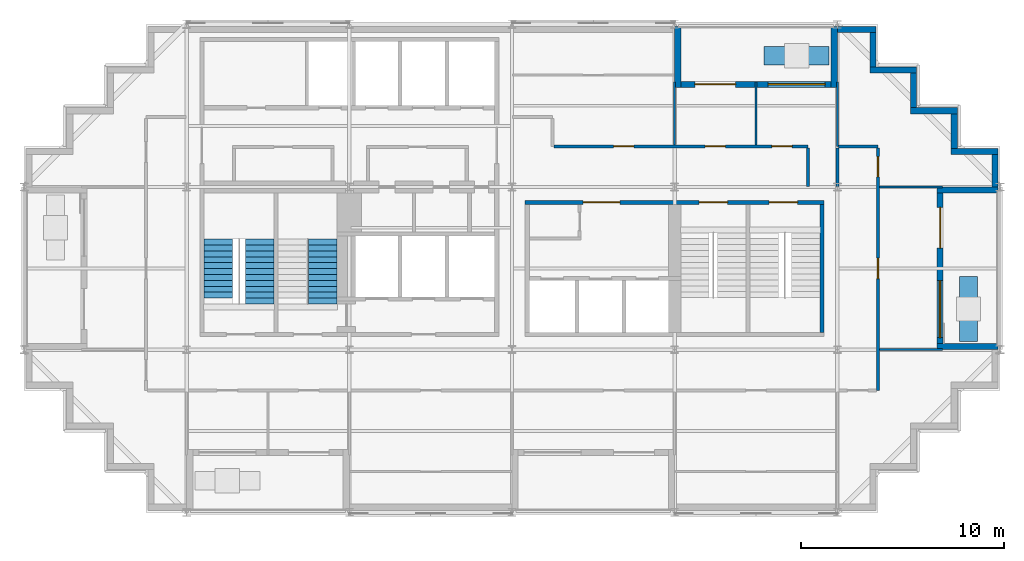
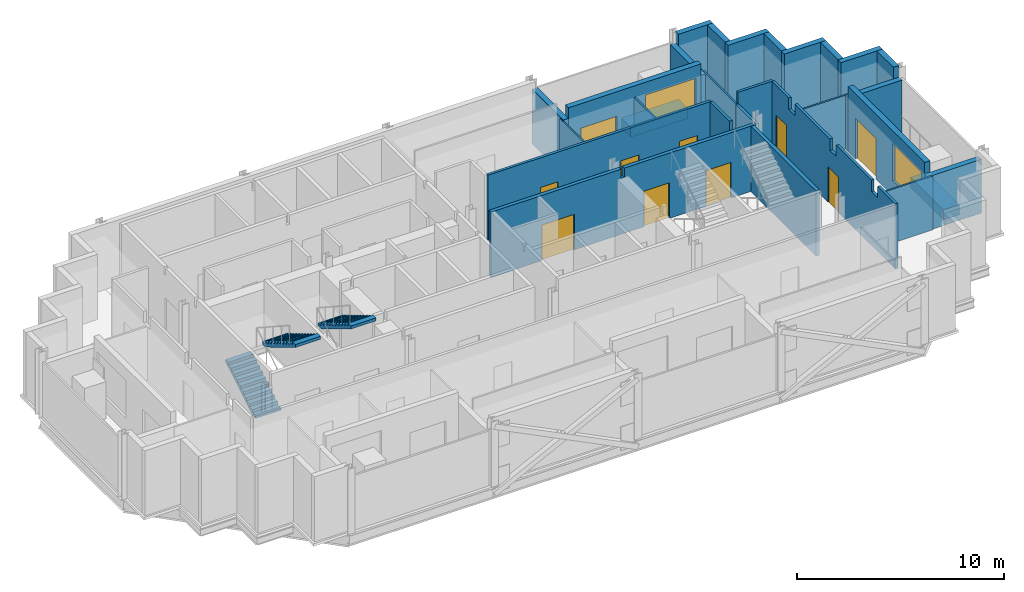
# One storey, part 7 of 10: 28 walls, 10 doors, 3 stair flights, 2 windows, 12 openings, 2 elements without a shape of their own.
"""IFC4 building model written with IfcOpenShell, lengths in metres."""

from ifc_helpers import new_model, si_unit, direction, frame, frame_2d, origin, place, context, subcontext, project, spatial, polyline, rectangle, outline, extrude, material, layer, layer_set, type_object, element, fill, aggregate, save


model = new_model("IFC4")

# Units and contexts
model_context = context("Model", 3, precision=1e-05, world=origin(), true_north=direction((0.0, 1.0)))
body_context = subcontext(model_context, "Body", "Model", "MODEL_VIEW")
ifc_project = project(units=[si_unit("LENGTHUNIT", "METRE"), si_unit("AREAUNIT", "SQUARE_METRE"), si_unit("VOLUMEUNIT", "CUBIC_METRE"), si_unit("PLANEANGLEUNIT", "RADIAN"), si_unit("MASSUNIT", "GRAM", prefix="KILO")], contexts=[model_context])

# Site, building, storey
site_placement = place(None, origin())
site = spatial("IfcSite", under=ifc_project, at=site_placement, CompositionType="ELEMENT")
building_placement = place(site_placement, origin())
building = spatial("IfcBuilding", under=site, at=building_placement, Name="Immortelle Media Tower", CompositionType="ELEMENT")
storey_placement = place(building_placement, frame((0.0, 0.0, 259.0)))
storey = spatial("IfcBuildingStorey", under=building, at=storey_placement, Name="L56", CompositionType="ELEMENT", Elevation=259.0)

# Wall, openings, doors
ifc_material_1 = material(Name="Fire-rated gypsum board", Category="gypsum")
ifc_layer_1 = layer(ifc_material_1, 0.012451171875)
ifc_material_2 = material(Name="Steel ASTM A653 SS Gr 50 stud frame with mineral wool", Category="steel")
ifc_layer_2 = layer(ifc_material_2, 0.125)
ifc_layer_3 = layer(ifc_material_1, 0.012451171875)
ifc_layer_set_1 = layer_set([ifc_layer_1, ifc_layer_2, ifc_layer_3], Name="Steel ASTM A653 SS Gr 50 stud frame with mineral wool")
wall_type_1 = type_object("IfcWallType", Name="Corridor wall 150", PredefinedType="PARTITIONING", material=ifc_layer_set_1)
wall_1_placement = place(storey_placement, frame((42.0, 6.0, 0.0), z_axis=(0.0, 0.0, 1.0), x_axis=(0.0, 1.0, 0.0)))
wall_1 = element("IfcWall", 1, at=wall_1_placement, inside=storey, type_object=wall_type_1, Name="Partition L56-012", PredefinedType="PARTITIONING", context=body_context, shape_type="SweptSolid", body=[
    extrude(outline(polyline([(0.0, 0.0), (11.925048828125, 0.0), (11.925048828125, 3.85009765625), (10.300048828125, 3.85009765625), (10.298095703125, 3.172119140625), (9.701904296875, 3.172119140625), (9.699951171875, 3.85009765625), (6.300048828125, 3.85009765625), (6.298095703125, 3.172119140625), (5.701904296875, 3.172119140625), (5.699951171875, 3.85009765625), (2.300048828125, 3.85009765625), (2.298095703125, 3.172119140625), (1.701904296875, 3.172119140625), (1.699951171875, 3.85009765625), (0.0, 3.85009765625), (0.0, 0.0)])), frame((0.0, 0.074951171875, 0.0), z_axis=(0.0, -1.0, 0.0), x_axis=(1.0, 0.0, 0.0)), (0.0, 0.0, 1.0), 0.14990234375),
])
opening_1_placement = place(wall_1_placement, frame((6.5, 0.0, 0.0), z_axis=(0.0, 0.0, 1.0), x_axis=(-1.0, 0.0, 0.0)))
opening_1 = element("IfcOpeningElement", 2, at=opening_1_placement, cuts=wall_1, Name="Opening X2-F011", PredefinedType="OPENING", context=body_context, shape_type="SweptSolid", body=[
    extrude(rectangle(XDim=1.0, YDim=2.10009765625, at=frame_2d((0.5, 1.050048828125))), frame((0.0, 0.0849609375, 0.0), z_axis=(0.0, -1.0, 0.0), x_axis=(1.0, 0.0, 0.0)), (0.0, 0.0, 1.0), 0.169921875),
])
opening_2_placement = place(wall_1_placement, frame((11.5, 0.0, 0.0), z_axis=(0.0, 0.0, 1.0), x_axis=(-1.0, 0.0, 0.0)))
opening_2 = element("IfcOpeningElement", 3, at=opening_2_placement, cuts=wall_1, Name="Opening X2-F013", PredefinedType="OPENING", context=body_context, shape_type="SweptSolid", body=[
    extrude(rectangle(XDim=1.0, YDim=2.10009765625, at=frame_2d((0.5, 1.050048828125))), frame((0.0, 0.0849609375, 0.0), z_axis=(0.0, -1.0, 0.0), x_axis=(1.0, 0.0, 0.0)), (0.0, 0.0, 1.0), 0.169921875),
])
ifc_material_3 = material(Name="Timber veneered door leaf, galvanised steel frame ASTM A653", Category="steel")
door_type_1 = type_object("IfcDoorType", Name="Room door 1000 x 2100", OperationType="NOTDEFINED", PredefinedType="DOOR", material=ifc_material_3)
door_1_placement = place(opening_1_placement, origin())
door_1 = element("IfcDoor", 4, at=door_1_placement, inside=storey, type_object=door_type_1, Name="Door X2-F011", OperationType="SINGLE_SWING_LEFT", OverallHeight=2.10009765625, OverallWidth=1.0, PredefinedType="DOOR", context=body_context, shape_type="SweptSolid", body=[
    extrude(rectangle(XDim=1.0, YDim=2.10009765625, at=frame_2d((0.5, 1.050048828125))), frame((0.0, 0.02490234375, 0.0), z_axis=(0.0, -1.0, 0.0), x_axis=(1.0, 0.0, 0.0)), (0.0, 0.0, 1.0), 0.050048828125),
])
fill(opening_1, door_1)
door_2_placement = place(opening_2_placement, origin())
door_2 = element("IfcDoor", 5, at=door_2_placement, inside=storey, type_object=door_type_1, Name="Door X2-F013", OperationType="SINGLE_SWING_RIGHT", OverallHeight=2.10009765625, OverallWidth=1.0, PredefinedType="DOOR", context=body_context, shape_type="SweptSolid", body=[
    extrude(rectangle(XDim=1.0, YDim=2.10009765625, at=frame_2d((0.5, 1.050048828125))), frame((0.0, 0.02490234375, 0.0), z_axis=(0.0, -1.0, 0.0), x_axis=(1.0, 0.0, 0.0)), (0.0, 0.0, 1.0), 0.050048828125),
])
fill(opening_2, door_2)

# Walls
wall_2_placement = place(storey_placement, frame((38.550048828125, 16.030029296875, 0.0), z_axis=(0.0, 0.0, 1.0), x_axis=(0.0, 1.0, 0.0)))
element("IfcWall", 6, at=wall_2_placement, inside=storey, type_object=wall_type_1, Name="Partition L56-017", PredefinedType="PARTITIONING", context=body_context, shape_type="SweptSolid", body=[
    extrude(rectangle(XDim=1.89501953125, YDim=0.14990234375, at=frame_2d((0.947509765625, 0.0))), origin(), (0.0, 0.0, 1.0), 3.85009765625),
])
wall_3_placement = place(storey_placement, frame((40.0, 16.030029296875, 0.0), z_axis=(0.0, 0.0, 1.0), x_axis=(0.0, 1.0, 0.0)))
element("IfcWall", 7, at=wall_3_placement, inside=storey, type_object=wall_type_1, Name="Partition L56-018", PredefinedType="PARTITIONING", context=body_context, shape_type="SweptSolid", body=[
    extrude(rectangle(XDim=1.89501953125, YDim=0.14990234375, at=frame_2d((0.947509765625, 0.0))), origin(), (0.0, 0.0, 1.0), 3.172119140625),
])

# Wall, openings, doors
wall_4_placement = place(storey_placement, frame((26.074951171875, 18.0, 0.0), z_axis=(0.0, 0.0, 1.0), x_axis=(1.0, 0.0, 0.0)))
wall_4 = element("IfcWall", 8, at=wall_4_placement, inside=storey, type_object=wall_type_1, Name="Partition L56-019", PredefinedType="PARTITIONING", context=body_context, shape_type="SweptSolid", body=[
    extrude(rectangle(XDim=12.47509765625, YDim=0.14990234375, at=frame_2d((6.237548828125, 0.0))), origin(), (0.0, 0.0, 1.0), 3.85009765625),
])
opening_3_placement = place(wall_4_placement, frame((7.425048828125, 0.0, 0.0)))
opening_3 = element("IfcOpeningElement", 9, at=opening_3_placement, cuts=wall_4, Name="Opening X2-F014", PredefinedType="OPENING", context=body_context, shape_type="SweptSolid", body=[
    extrude(rectangle(XDim=1.0, YDim=2.10009765625, at=frame_2d((0.5, 1.050048828125))), frame((0.0, 0.0849609375, 0.0), z_axis=(0.0, -1.0, 0.0), x_axis=(1.0, 0.0, 0.0)), (0.0, 0.0, 1.0), 0.169921875),
])
opening_4_placement = place(wall_4_placement, frame((10.699951171875, 0.0, 0.0)))
opening_4 = element("IfcOpeningElement", 10, at=opening_4_placement, cuts=wall_4, Name="Opening X2-F015", PredefinedType="OPENING", context=body_context, shape_type="SweptSolid", body=[
    extrude(rectangle(XDim=1.0, YDim=2.10009765625, at=frame_2d((0.5, 1.050048828125))), frame((0.0, 0.0849609375, 0.0), z_axis=(0.0, -1.0, 0.0), x_axis=(1.0, 0.0, 0.0)), (0.0, 0.0, 1.0), 0.169921875),
])
opening_5_placement = place(wall_4_placement, frame((3.925048828125, 0.0, 0.0), z_axis=(0.0, 0.0, 1.0), x_axis=(-1.0, 0.0, 0.0)))
opening_5 = element("IfcOpeningElement", 11, at=opening_5_placement, cuts=wall_4, Name="Opening X2-F016", PredefinedType="OPENING", context=body_context, shape_type="SweptSolid", body=[
    extrude(rectangle(XDim=1.0, YDim=2.10009765625, at=frame_2d((0.5, 1.050048828125))), frame((0.0, 0.0849609375, 0.0), z_axis=(0.0, -1.0, 0.0), x_axis=(1.0, 0.0, 0.0)), (0.0, 0.0, 1.0), 0.169921875),
])
door_3_placement = place(opening_3_placement, origin())
door_3 = element("IfcDoor", 12, at=door_3_placement, inside=storey, type_object=door_type_1, Name="Door X2-F014", OperationType="SINGLE_SWING_LEFT", OverallHeight=2.10009765625, OverallWidth=1.0, PredefinedType="DOOR", context=body_context, shape_type="SweptSolid", body=[
    extrude(rectangle(XDim=1.0, YDim=2.10009765625, at=frame_2d((0.5, 1.050048828125))), frame((0.0, 0.02490234375, 0.0), z_axis=(0.0, -1.0, 0.0), x_axis=(1.0, 0.0, 0.0)), (0.0, 0.0, 1.0), 0.050048828125),
])
fill(opening_3, door_3)
door_4_placement = place(opening_4_placement, origin())
door_4 = element("IfcDoor", 13, at=door_4_placement, inside=storey, type_object=door_type_1, Name="Door X2-F015", OperationType="SINGLE_SWING_LEFT", OverallHeight=2.10009765625, OverallWidth=1.0, PredefinedType="DOOR", context=body_context, shape_type="SweptSolid", body=[
    extrude(rectangle(XDim=1.0, YDim=2.10009765625, at=frame_2d((0.5, 1.050048828125))), frame((0.0, 0.02490234375, 0.0), z_axis=(0.0, -1.0, 0.0), x_axis=(1.0, 0.0, 0.0)), (0.0, 0.0, 1.0), 0.050048828125),
])
fill(opening_4, door_4)
door_5_placement = place(opening_5_placement, origin())
door_5 = element("IfcDoor", 14, at=door_5_placement, inside=storey, type_object=door_type_1, Name="Door X2-F016", OperationType="SINGLE_SWING_RIGHT", OverallHeight=2.10009765625, OverallWidth=1.0, PredefinedType="DOOR", context=body_context, shape_type="SweptSolid", body=[
    extrude(rectangle(XDim=1.0, YDim=2.10009765625, at=frame_2d((0.5, 1.050048828125))), frame((0.0, 0.02490234375, 0.0), z_axis=(0.0, -1.0, 0.0), x_axis=(1.0, 0.0, 0.0)), (0.0, 0.0, 1.0), 0.050048828125),
])
fill(opening_5, door_5)

# Wall
wall_5_placement = place(storey_placement, frame((40.050048828125, 18.0, 0.0), z_axis=(0.0, 0.0, 1.0), x_axis=(1.0, 0.0, 0.0)))
element("IfcWall", 15, at=wall_5_placement, inside=storey, type_object=wall_type_1, Name="Partition L56-023", PredefinedType="PARTITIONING", context=body_context, shape_type="SweptSolid", body=[
    extrude(rectangle(XDim=1.949951171875, YDim=0.14990234375, at=frame_2d((0.97509765625, 0.0))), origin(), (0.0, 0.0, 1.0), 3.85009765625),
])

# Wall, openings, door, window
ifc_material_4 = material(Name="Pale aluminium cladding panel", Category="aluminium")
ifc_layer_4 = layer(ifc_material_4, 0.030029296875)
ifc_layer_5 = layer(ifc_material_2, 0.257568359375)
ifc_material_5 = material(Name="Moisture-resistant gypsum board", Category="gypsum")
ifc_layer_6 = layer(ifc_material_5, 0.012451171875)
ifc_layer_set_2 = layer_set([ifc_layer_4, ifc_layer_5, ifc_layer_6], Name="Steel ASTM A653 SS Gr 50 stud frame with mineral wool")
wall_type_2 = type_object("IfcWallType", Name="Facade wall 300", PredefinedType="SOLIDWALL", material=ifc_layer_set_2)
wall_6_placement = place(storey_placement, frame((45.050048828125, 8.300048828125, 0.0), z_axis=(0.0, 0.0, 1.0), x_axis=(0.0, 1.0, 0.0)))
wall_6 = element("IfcWall", 16, at=wall_6_placement, inside=storey, type_object=wall_type_2, Name="Loggia wall L56 E13", PredefinedType="SOLIDWALL", context=body_context, shape_type="SweptSolid", body=[
    extrude(rectangle(XDim=7.39990234375, YDim=0.300048828125, at=frame_2d((3.699951171875, 0.0))), origin(), (0.0, 0.0, 1.0), 3.85009765625),
])
opening_6_placement = place(wall_6_placement, frame((0.300048828125, 0.0, 0.89990234375)))
opening_6 = element("IfcOpeningElement", 17, at=opening_6_placement, cuts=wall_6, Name="Opening W1", PredefinedType="OPENING", context=body_context, shape_type="SweptSolid", body=[
    extrude(rectangle(XDim=2.800048828125, YDim=2.199951171875, at=frame_2d((1.39990234375, 1.10009765625))), frame((0.0, 0.159912109375, 0.0), z_axis=(0.0, -1.0, 0.0), x_axis=(1.0, 0.0, 0.0)), (0.0, 0.0, 1.0), 0.320068359375),
])
opening_7_placement = place(wall_6_placement, frame((4.699951171875, 0.0, 0.0)))
opening_7 = element("IfcOpeningElement", 18, at=opening_7_placement, cuts=wall_6, Name="Opening X2-E003", PredefinedType="OPENING", context=body_context, shape_type="SweptSolid", body=[
    extrude(rectangle(XDim=2.0, YDim=2.39990234375, at=frame_2d((1.0, 1.199951171875))), frame((0.0, 0.159912109375, 0.0), z_axis=(0.0, -1.0, 0.0), x_axis=(1.0, 0.0, 0.0)), (0.0, 0.0, 1.0), 0.320068359375),
])
ifc_material_6 = material(Name="Aluminium frame, glazed leaves", Category="aluminium")
door_type_2 = type_object("IfcDoorType", Name="Loggia door 2000 x 2400", OperationType="DOUBLE_DOOR_SINGLE_SWING", PredefinedType="DOOR", material=ifc_material_6)
door_6_placement = place(opening_7_placement, origin())
door_6 = element("IfcDoor", 19, at=door_6_placement, inside=storey, type_object=door_type_2, Name="Door X2-E003", OperationType="DOUBLE_DOOR_SINGLE_SWING", OverallHeight=2.39990234375, OverallWidth=2.0, PredefinedType="DOOR", context=body_context, shape_type="SweptSolid", body=[
    extrude(rectangle(XDim=2.0, YDim=2.39990234375, at=frame_2d((1.0, 1.199951171875))), frame((0.0, 0.02490234375, 0.0), z_axis=(0.0, -1.0, 0.0), x_axis=(1.0, 0.0, 0.0)), (0.0, 0.0, 1.0), 0.050048828125),
])
fill(opening_7, door_6)
ifc_material_7 = material(Name="Aluminium frame", Category="aluminium")
window_type = type_object("IfcWindowType", Name="Window 2800 x 2200", PartitioningType="SINGLE_PANEL", PredefinedType="WINDOW", material=ifc_material_7)
window_1_placement = place(opening_6_placement, origin())
window_1 = element("IfcWindow", 20, at=window_1_placement, inside=storey, type_object=window_type, Name="Window L56 L56-R13-B0", OverallHeight=2.199951171875, OverallWidth=2.800048828125, PartitioningType="SINGLE_PANEL", PredefinedType="WINDOW", context=body_context, shape_type="SweptSolid", body=[
    extrude(rectangle(XDim=2.800048828125, YDim=2.199951171875, at=frame_2d((1.39990234375, 1.10009765625))), frame((0.0, 0.030029296875, 0.0), z_axis=(0.0, -1.0, 0.0), x_axis=(1.0, 0.0, 0.0)), (0.0, 0.0, 1.0), 0.06005859375),
])
fill(opening_6, window_1)

# Walls
for number, where, z_axis, x_axis, name in (
    (21, (47.89990234375, 8.14990234375, 0.0), (0.0, 0.0, 1.0), (-1.0, 0.0, 0.0), "Loggia cheek wall L56 E"),
    (22, (47.89990234375, 15.85009765625, 0.0), (0.0, 0.0, 1.0), (-1.0, 0.0, 0.0), "Loggia cheek wall L56 E"),
):
    element("IfcWall", number, at=place(storey_placement, frame(where, z_axis=z_axis, x_axis=x_axis)), inside=storey, type_object=wall_type_2, Name=name, PredefinedType="SOLIDWALL", context=body_context, shape_type="SweptSolid", body=[
        extrude(rectangle(XDim=3.0, YDim=0.300048828125, at=frame_2d((1.5, 0.0))), origin(), (0.0, 0.0, 1.0), 3.1708984375),
    ])
wall_7_placement = place(storey_placement, frame((47.75, 16.0, 0.0), z_axis=(0.0, 0.0, 1.0), x_axis=(0.0, 1.0, 0.0)))
element("IfcWall", 23, at=wall_7_placement, inside=storey, type_object=wall_type_2, Name="Facade wall L56 E13", PredefinedType="SOLIDWALL", context=body_context, shape_type="SweptSolid", body=[
    extrude(rectangle(XDim=1.60009765625, YDim=0.300048828125, at=frame_2d((0.800048828125, 0.0))), origin(), (0.0, 0.0, 1.0), 3.85009765625),
])
wall_8_placement = place(storey_placement, frame((47.89990234375, 17.75, 0.0), z_axis=(0.0, 0.0, 1.0), x_axis=(-1.0, 0.0, 0.0)))
element("IfcWall", 24, at=wall_8_placement, inside=storey, type_object=wall_type_2, Name="Facade wall L56 N14", PredefinedType="SOLIDWALL", context=body_context, shape_type="SweptSolid", body=[
    extrude(rectangle(XDim=2.2998046875, YDim=0.300048828125, at=frame_2d((1.14990234375, 0.0))), origin(), (0.0, 0.0, 1.0), 3.85009765625),
])
wall_9_placement = place(storey_placement, frame((45.75, 17.89990234375, 0.0), z_axis=(0.0, 0.0, 1.0), x_axis=(0.0, 1.0, 0.0)))
element("IfcWall", 25, at=wall_9_placement, inside=storey, type_object=wall_type_2, Name="Facade wall L56 E15", PredefinedType="SOLIDWALL", context=body_context, shape_type="SweptSolid", body=[
    extrude(rectangle(XDim=1.7001953125, YDim=0.300048828125, at=frame_2d((0.85009765625, 0.0))), origin(), (0.0, 0.0, 1.0), 3.85009765625),
])
wall_10_placement = place(storey_placement, frame((45.89990234375, 19.75, 0.0), z_axis=(0.0, 0.0, 1.0), x_axis=(-1.0, 0.0, 0.0)))
element("IfcWall", 26, at=wall_10_placement, inside=storey, type_object=wall_type_2, Name="Facade wall L56 N16", PredefinedType="SOLIDWALL", context=body_context, shape_type="SweptSolid", body=[
    extrude(rectangle(XDim=2.2998046875, YDim=0.300048828125, at=frame_2d((1.14990234375, 0.0))), origin(), (0.0, 0.0, 1.0), 3.85009765625),
])
wall_11_placement = place(storey_placement, frame((43.75, 19.89990234375, 0.0), z_axis=(0.0, 0.0, 1.0), x_axis=(0.0, 1.0, 0.0)))
element("IfcWall", 27, at=wall_11_placement, inside=storey, type_object=wall_type_2, Name="Facade wall L56 E17", PredefinedType="SOLIDWALL", context=body_context, shape_type="SweptSolid", body=[
    extrude(rectangle(XDim=1.7001953125, YDim=0.300048828125, at=frame_2d((0.85009765625, 0.0))), origin(), (0.0, 0.0, 1.0), 3.85009765625),
])
wall_12_placement = place(storey_placement, frame((43.89990234375, 21.75, 0.0), z_axis=(0.0, 0.0, 1.0), x_axis=(-1.0, 0.0, 0.0)))
element("IfcWall", 28, at=wall_12_placement, inside=storey, type_object=wall_type_2, Name="Facade wall L56 N18", PredefinedType="SOLIDWALL", context=body_context, shape_type="SweptSolid", body=[
    extrude(rectangle(XDim=2.2998046875, YDim=0.300048828125, at=frame_2d((1.14990234375, 0.0))), origin(), (0.0, 0.0, 1.0), 3.85009765625),
])
wall_13_placement = place(storey_placement, frame((41.75, 21.89990234375, 0.0), z_axis=(0.0, 0.0, 1.0), x_axis=(0.0, 1.0, 0.0)))
element("IfcWall", 29, at=wall_13_placement, inside=storey, type_object=wall_type_2, Name="Facade wall L56 E19", PredefinedType="SOLIDWALL", context=body_context, shape_type="SweptSolid", body=[
    extrude(rectangle(XDim=1.7001953125, YDim=0.300048828125, at=frame_2d((0.85009765625, 0.0))), origin(), (0.0, 0.0, 1.0), 3.85009765625),
])
wall_14_placement = place(storey_placement, frame((41.89990234375, 23.75, 0.0), z_axis=(0.0, 0.0, 1.0), x_axis=(-1.0, 0.0, 0.0)))
element("IfcWall", 30, at=wall_14_placement, inside=storey, type_object=wall_type_2, Name="Facade wall L56 N20", PredefinedType="SOLIDWALL", context=body_context, shape_type="SweptSolid", body=[
    extrude(rectangle(XDim=1.89990234375, YDim=0.300048828125, at=frame_2d((0.949951171875, 0.0))), origin(), (0.0, 0.0, 1.0), 3.85009765625),
])

# Wall, openings, door, window
wall_15_placement = place(storey_placement, frame((39.699951171875, 21.050048828125, 0.0), z_axis=(0.0, 0.0, 1.0), x_axis=(-1.0, 0.0, 0.0)))
wall_15 = element("IfcWall", 31, at=wall_15_placement, inside=storey, type_object=wall_type_2, Name="Loggia wall L56 N20", PredefinedType="SOLIDWALL", context=body_context, shape_type="SweptSolid", body=[
    extrude(rectangle(XDim=7.39990234375, YDim=0.300048828125, at=frame_2d((3.699951171875, 0.0))), origin(), (0.0, 0.0, 1.0), 3.85009765625),
])
opening_8_placement = place(wall_15_placement, frame((0.300048828125, 0.0, 0.89990234375)))
opening_8 = element("IfcOpeningElement", 32, at=opening_8_placement, cuts=wall_15, Name="Opening W1", PredefinedType="OPENING", context=body_context, shape_type="SweptSolid", body=[
    extrude(rectangle(XDim=2.800048828125, YDim=2.199951171875, at=frame_2d((1.39990234375, 1.10009765625))), frame((0.0, 0.159912109375, 0.0), z_axis=(0.0, -1.0, 0.0), x_axis=(1.0, 0.0, 0.0)), (0.0, 0.0, 1.0), 0.320068359375),
])
opening_9_placement = place(wall_15_placement, frame((4.699951171875, 0.0, 0.0)))
opening_9 = element("IfcOpeningElement", 33, at=opening_9_placement, cuts=wall_15, Name="Opening X2-E004", PredefinedType="OPENING", context=body_context, shape_type="SweptSolid", body=[
    extrude(rectangle(XDim=2.0, YDim=2.39990234375, at=frame_2d((1.0, 1.199951171875))), frame((0.0, 0.159912109375, 0.0), z_axis=(0.0, -1.0, 0.0), x_axis=(1.0, 0.0, 0.0)), (0.0, 0.0, 1.0), 0.320068359375),
])
door_7_placement = place(opening_9_placement, origin())
door_7 = element("IfcDoor", 34, at=door_7_placement, inside=storey, type_object=door_type_2, Name="Door X2-E004", OperationType="DOUBLE_DOOR_SINGLE_SWING", OverallHeight=2.39990234375, OverallWidth=2.0, PredefinedType="DOOR", context=body_context, shape_type="SweptSolid", body=[
    extrude(rectangle(XDim=2.0, YDim=2.39990234375, at=frame_2d((1.0, 1.199951171875))), frame((0.0, 0.02490234375, 0.0), z_axis=(0.0, -1.0, 0.0), x_axis=(1.0, 0.0, 0.0)), (0.0, 0.0, 1.0), 0.050048828125),
])
fill(opening_9, door_7)
window_2_placement = place(opening_8_placement, origin())
window_2 = element("IfcWindow", 35, at=window_2_placement, inside=storey, type_object=window_type, Name="Window L56 L56-R20-B0", OverallHeight=2.199951171875, OverallWidth=2.800048828125, PartitioningType="SINGLE_PANEL", PredefinedType="WINDOW", context=body_context, shape_type="SweptSolid", body=[
    extrude(rectangle(XDim=2.800048828125, YDim=2.199951171875, at=frame_2d((1.39990234375, 1.10009765625))), frame((0.0, 0.030029296875, 0.0), z_axis=(0.0, -1.0, 0.0), x_axis=(1.0, 0.0, 0.0)), (0.0, 0.0, 1.0), 0.06005859375),
])
fill(opening_8, window_2)

# Walls
wall_16_placement = place(storey_placement, frame((39.85009765625, 23.89990234375, 0.0), z_axis=(0.0, 0.0, 1.0), x_axis=(0.0, -1.0, 0.0)))
element("IfcWall", 36, at=wall_16_placement, inside=storey, type_object=wall_type_2, Name="Loggia cheek wall L56 N", PredefinedType="SOLIDWALL", context=body_context, shape_type="SweptSolid", body=[
    extrude(rectangle(XDim=3.0, YDim=0.300048828125, at=frame_2d((1.5, 0.0))), origin(), (0.0, 0.0, 1.0), 3.1708984375),
])
wall_17_placement = place(storey_placement, frame((32.14990234375, 23.89990234375, 0.0), z_axis=(0.0, 0.0, 1.0), x_axis=(0.0, -1.0, 0.0)))
element("IfcWall", 37, at=wall_17_placement, inside=storey, type_object=wall_type_2, Name="Loggia cheek wall L56 N", PredefinedType="SOLIDWALL", context=body_context, shape_type="SweptSolid", body=[
    extrude(rectangle(XDim=3.0, YDim=0.300048828125, at=frame_2d((1.5, 0.0))), origin(), (0.0, 0.0, 1.0), 3.237060546875),
])
ifc_material_8 = material(Name="Gypsum board", Category="gypsum")
ifc_layer_7 = layer(ifc_material_8, 0.012451171875)
ifc_layer_8 = layer(ifc_material_2, 0.074951171875)
ifc_layer_9 = layer(ifc_material_8, 0.012451171875)
ifc_layer_set_3 = layer_set([ifc_layer_7, ifc_layer_8, ifc_layer_9], Name="Steel ASTM A653 SS Gr 50 stud frame with mineral wool")
wall_type_3 = type_object("IfcWallType", Name="Partition 100", PredefinedType="PARTITIONING", material=ifc_layer_set_3)
for number, where, z_axis, x_axis, name in (
    (38, (42.074951171875, 8.0, 0.0), (0.0, 0.0, 1.0), (1.0, 0.0, 0.0), "Partition L56-014"),
    (39, (42.074951171875, 16.0, 0.0), (0.0, 0.0, 1.0), (1.0, 0.0, 0.0), "Partition L56-016"),
    (40, (32.0, 18.074951171875, 0.0), (0.0, 0.0, 1.0), (0.0, 1.0, 0.0), "Partition L56-021"),
    (41, (36.0, 18.074951171875, 0.0), (0.0, 0.0, 1.0), (0.0, 1.0, 0.0), "Partition L56-022"),
):
    element("IfcWall", number, at=place(storey_placement, frame(where, z_axis=z_axis, x_axis=x_axis)), inside=storey, type_object=wall_type_3, Name=name, PredefinedType="PARTITIONING", context=body_context, shape_type="SweptSolid", body=[
        extrude(rectangle(XDim=3.094970703125, YDim=0.10009765625, at=frame_2d((1.54736328125, 0.0))), origin(), (0.0, 0.0, 1.0), 3.172119140625),
    ])
wall_18_placement = place(storey_placement, frame((40.0, 18.0, 0.0), z_axis=(0.0, 0.0, 1.0), x_axis=(0.0, 1.0, 0.0)))
element("IfcWall", 42, at=wall_18_placement, inside=storey, type_object=wall_type_3, Name="Partition L56-024", PredefinedType="PARTITIONING", context=body_context, shape_type="SweptSolid", body=[
    extrude(rectangle(XDim=3.169921875, YDim=0.10009765625, at=frame_2d((1.5849609375, 0.0))), origin(), (0.0, 0.0, 1.0), 3.172119140625),
])
ifc_layer_10 = layer(ifc_material_4, 0.0029296875)
ifc_material_9 = material(Name="Steel ASTM A572 Gr 50 planter shell", Category="steel")
ifc_layer_11 = layer(ifc_material_9, 0.011962890625)
ifc_material_10 = material(Name="Planting substrate", Category="soil")
ifc_layer_12 = layer(ifc_material_10, 0.873046875)
ifc_layer_13 = layer(ifc_material_9, 0.011962890625)
ifc_layer_set_4 = layer_set([ifc_layer_10, ifc_layer_11, ifc_layer_12, ifc_layer_13], Name="Steel ASTM A572 Gr 50 planter shell")
wall_type_4 = type_object("IfcWallType", Name="Planter wall 900", PredefinedType="SOLIDWALL", material=ifc_layer_set_4)
for number, where, z_axis, x_axis, name in (
    (43, (46.449951171875, 8.39990234375, 0.0), (0.0, 0.0, 1.0), (0.0, 1.0, 0.0), "Planter L56 E0"),
    (44, (39.60009765625, 22.449951171875, 0.0), (0.0, 0.0, 1.0), (-1.0, 0.0, 0.0), "Planter L56 N0"),
):
    element("IfcWall", number, at=place(storey_placement, frame(where, z_axis=z_axis, x_axis=x_axis)), inside=storey, type_object=wall_type_4, Name=name, PredefinedType="SOLIDWALL", context=body_context, shape_type="SweptSolid", body=[
        extrude(rectangle(XDim=3.2001953125, YDim=0.89990234375, at=frame_2d((1.60009765625, 0.0))), origin(), (0.0, 0.0, 1.0), 0.60009765625),
    ])

# Wall, openings, doors
ifc_material_11 = material(Name="Concrete C60", Category="concrete")
ifc_layer_14 = layer(ifc_material_11, 0.199951171875)
ifc_layer_set_5 = layer_set([ifc_layer_14], Name="Concrete C60")
wall_type_5 = type_object("IfcWallType", Name="Stair shaft wall 200", PredefinedType="PARTITIONING", material=ifc_layer_set_5)
wall_19_placement = place(storey_placement, frame((24.64990234375, 15.25, 0.0), z_axis=(0.0, 0.0, 1.0), x_axis=(1.0, 0.0, 0.0)))
wall_19 = element("IfcWall", 45, at=wall_19_placement, inside=storey, type_object=wall_type_5, Name="Stair shaft wall SE", PredefinedType="PARTITIONING", context=body_context, shape_type="SweptSolid", body=[
    extrude(outline(polyline([(0.0, 0.0), (14.7001953125, 0.0), (14.699951171875, 3.85009765625), (7.4384765625, 3.85009765625), (7.4375, 3.30810546875), (7.262451171875, 3.30810546875), (7.261474609375, 3.85009765625), (0.0, 3.85009765625), (0.0, 0.0)])), frame((0.0, 0.10009765625, 0.0), z_axis=(0.0, -1.0, 0.0), x_axis=(1.0, 0.0, 0.0)), (0.0, 0.0, 1.0), 0.199951171875),
])
opening_10_placement = place(wall_19_placement, frame((2.85009765625, 0.0, 0.0)))
opening_10 = element("IfcOpeningElement", 46, at=opening_10_placement, cuts=wall_19, Name="Opening X2-K023", PredefinedType="OPENING", context=body_context, shape_type="SweptSolid", body=[
    extrude(rectangle(XDim=1.800048828125, YDim=2.10009765625, at=frame_2d((0.89990234375, 1.050048828125))), frame((0.0, 0.10986328125, 0.0), z_axis=(0.0, -1.0, 0.0), x_axis=(1.0, 0.0, 0.0)), (0.0, 0.0, 1.0), 0.219970703125),
])
opening_11_placement = place(wall_19_placement, frame((9.949951171875, 0.0, 0.0), z_axis=(0.0, 0.0, 1.0), x_axis=(-1.0, 0.0, 0.0)))
opening_11 = element("IfcOpeningElement", 47, at=opening_11_placement, cuts=wall_19, Name="Opening X2-K025", PredefinedType="OPENING", context=body_context, shape_type="SweptSolid", body=[
    extrude(rectangle(XDim=1.39990234375, YDim=2.10009765625, at=frame_2d((0.699951171875, 1.050048828125))), frame((0.0, 0.10986328125, 0.0), z_axis=(0.0, -1.0, 0.0), x_axis=(1.0, 0.0, 0.0)), (0.0, 0.0, 1.0), 0.219970703125),
])
opening_12_placement = place(wall_19_placement, frame((13.39990234375, 0.0, 0.0), z_axis=(0.0, 0.0, 1.0), x_axis=(-1.0, 0.0, 0.0)))
opening_12 = element("IfcOpeningElement", 48, at=opening_12_placement, cuts=wall_19, Name="Opening X2-K026", PredefinedType="OPENING", context=body_context, shape_type="SweptSolid", body=[
    extrude(rectangle(XDim=1.39990234375, YDim=2.10009765625, at=frame_2d((0.699951171875, 1.050048828125))), frame((0.0, 0.10986328125, 0.0), z_axis=(0.0, -1.0, 0.0), x_axis=(1.0, 0.0, 0.0)), (0.0, 0.0, 1.0), 0.219970703125),
])
ifc_material_12 = material(Name="Galvanised steel door leaf and frame ASTM A653", Category="steel")
door_type_3 = type_object("IfcDoorType", Name="Lift lobby door 1800 x 2100", OperationType="DOUBLE_DOOR_SINGLE_SWING", PredefinedType="NOTDEFINED", material=ifc_material_12)
door_8_placement = place(opening_10_placement, origin())
door_8 = element("IfcDoor", 49, at=door_8_placement, inside=storey, type_object=door_type_3, Name="Lift lobby X2-K023", OperationType="DOUBLE_DOOR_SINGLE_SWING", OverallHeight=2.10009765625, OverallWidth=1.800048828125, PredefinedType="NOTDEFINED", context=body_context, shape_type="SweptSolid", body=[
    extrude(rectangle(XDim=1.800048828125, YDim=2.10009765625, at=frame_2d((0.89990234375, 1.050048828125))), frame((0.0, 0.02490234375, 0.0), z_axis=(0.0, -1.0, 0.0), x_axis=(1.0, 0.0, 0.0)), (0.0, 0.0, 1.0), 0.050048828125),
])
fill(opening_10, door_8)
door_type_4 = type_object("IfcDoorType", Name="Stair door 1400 x 2100", OperationType="DOUBLE_DOOR_SINGLE_SWING", PredefinedType="NOTDEFINED", material=ifc_material_12)
door_9_placement = place(opening_11_placement, origin())
door_9 = element("IfcDoor", 50, at=door_9_placement, inside=storey, type_object=door_type_4, Name="Stair X2-K025", OperationType="DOUBLE_DOOR_SINGLE_SWING", OverallHeight=2.10009765625, OverallWidth=1.39990234375, PredefinedType="NOTDEFINED", context=body_context, shape_type="SweptSolid", body=[
    extrude(rectangle(XDim=1.39990234375, YDim=2.10009765625, at=frame_2d((0.699951171875, 1.050048828125))), frame((0.0, 0.02490234375, 0.0), z_axis=(0.0, -1.0, 0.0), x_axis=(1.0, 0.0, 0.0)), (0.0, 0.0, 1.0), 0.050048828125),
])
fill(opening_11, door_9)
door_10_placement = place(opening_12_placement, origin())
door_10 = element("IfcDoor", 51, at=door_10_placement, inside=storey, type_object=door_type_4, Name="Stair X2-K026", OperationType="DOUBLE_DOOR_SINGLE_SWING", OverallHeight=2.10009765625, OverallWidth=1.39990234375, PredefinedType="NOTDEFINED", context=body_context, shape_type="SweptSolid", body=[
    extrude(rectangle(XDim=1.39990234375, YDim=2.10009765625, at=frame_2d((0.699951171875, 1.050048828125))), frame((0.0, 0.02490234375, 0.0), z_axis=(0.0, -1.0, 0.0), x_axis=(1.0, 0.0, 0.0)), (0.0, 0.0, 1.0), 0.050048828125),
])
fill(opening_12, door_10)

# Wall
wall_20_placement = place(storey_placement, frame((39.25, 8.85009765625, 0.0), z_axis=(0.0, 0.0, 1.0), x_axis=(0.0, 1.0, 0.0)))
element("IfcWall", 52, at=wall_20_placement, inside=storey, type_object=wall_type_5, Name="Stair shaft wall SE", PredefinedType="PARTITIONING", context=body_context, shape_type="SweptSolid", body=[
    extrude(rectangle(XDim=6.2998046875, YDim=0.199951171875, at=frame_2d((3.14990234375, 0.0))), origin(), (0.0, 0.0, 1.0), 3.85009765625),
])

# Stair, stair flights
ifc_material_13 = material(Name="Steel ASTM A992 Gr 50", Category="steel")
stair_type = type_object("IfcStairType", Name="Stair with flights", PredefinedType="DOUBLE_RETURN_STAIR", material=ifc_material_13)
stair_1_placement = place(storey_placement, origin())
stair_1 = element("IfcStair", 53, at=stair_1_placement, inside=storey, type_object=stair_type, Name="Exit stair SW1", PredefinedType="DOUBLE_RETURN_STAIR")
stair_flight_type = type_object("IfcStairFlightType", Name="Stair flight 1400", PredefinedType="STRAIGHT", material=ifc_material_13)
stair_flight_1_placement = place(storey_placement, frame((9.550048828125, 10.5400390625, 0.0), z_axis=(0.0, 0.0, 1.0), x_axis=(0.0, 1.0, 0.0)))
stair_flight_1 = element("IfcStairFlight", 54, at=stair_flight_1_placement, type_object=stair_flight_type, Name="ST SW1 flight 1", NumberOfRisers=11, NumberOfTreads=10, PredefinedType="STRAIGHT", RiserHeight=0.173913043, TreadLength=0.29, context=body_context, shape_type="SweptSolid", body=[
    extrude(outline(polyline([(0.0, 0.0), (0.0, 0.173828125), (0.2900390625, 0.173828125), (0.2900390625, 0.347900390625), (0.580078125, 0.347900390625), (0.580078125, 0.521728515625), (0.8701171875, 0.521728515625), (0.8701171875, 0.695556640625), (1.159912109375, 0.695556640625), (1.159912109375, 0.86962890625), (1.449951171875, 0.86962890625), (1.449951171875, 1.04345703125), (1.739990234375, 1.04345703125), (1.739990234375, 1.21728515625), (2.030029296875, 1.21728515625), (2.030029296875, 1.391357421875), (2.320068359375, 1.391357421875), (2.320068359375, 1.565185546875), (2.610107421875, 1.565185546875), (2.610107421875, 1.739013671875), (2.89990234375, 1.739013671875), (2.89990234375, 1.9130859375), (2.89990234375, 1.564453125), (0.29150390625, 0.0), (0.0, 0.0)])), frame((0.0, 0.699951171875, 0.0), z_axis=(0.0, -1.0, 0.0), x_axis=(1.0, 0.0, 0.0)), (0.0, 0.0, 1.0), 1.39990234375),
])
stair_flight_2_placement = place(storey_placement, frame((11.60009765625, 13.43994140625, 1.9130859375), z_axis=(0.0, 0.0, 1.0), x_axis=(0.0, -1.0, 0.0)))
stair_flight_2 = element("IfcStairFlight", 55, at=stair_flight_2_placement, type_object=stair_flight_type, Name="ST SW1 flight 2", NumberOfRisers=12, NumberOfTreads=11, PredefinedType="STRAIGHT", RiserHeight=0.173913043, TreadLength=0.29, context=body_context, shape_type="SweptSolid", body=[
    extrude(outline(polyline([(0.0, 0.0), (0.0, 0.173828125), (0.2900390625, 0.173828125), (0.2900390625, 0.347900390625), (0.580078125, 0.347900390625), (0.580078125, 0.521728515625), (0.8701171875, 0.521728515625), (0.8701171875, 0.695556640625), (1.159912109375, 0.695556640625), (1.159912109375, 0.86962890625), (1.449951171875, 0.86962890625), (1.449951171875, 1.04345703125), (1.739990234375, 1.04345703125), (1.739990234375, 1.21728515625), (2.030029296875, 1.21728515625), (2.030029296875, 1.391357421875), (2.320068359375, 1.391357421875), (2.320068359375, 1.565185546875), (2.610107421875, 1.565185546875), (2.610107421875, 1.739013671875), (2.89990234375, 1.739013671875), (2.89990234375, 1.9130859375), (3.18994140625, 1.9130859375), (3.18994140625, 2.0869140625), (3.18994140625, 1.73828125), (0.29150390625, 0.0), (0.0, 0.0)])), frame((0.0, 0.699951171875, 0.0), z_axis=(0.0, -1.0, 0.0), x_axis=(1.0, 0.0, 0.0)), (0.0, 0.0, 1.0), 1.39990234375),
])
aggregate(stair_1, [stair_flight_1, stair_flight_2])

# Stair, stair flight
stair_2_placement = place(storey_placement, origin())
stair_2 = element("IfcStair", 56, at=stair_2_placement, inside=storey, type_object=stair_type, Name="Exit stair SW2", PredefinedType="DOUBLE_RETURN_STAIR")
stair_flight_3_placement = place(storey_placement, frame((14.699951171875, 13.43994140625, 1.9130859375), z_axis=(0.0, 0.0, 1.0), x_axis=(0.0, -1.0, 0.0)))
stair_flight_3 = element("IfcStairFlight", 57, at=stair_flight_3_placement, type_object=stair_flight_type, Name="ST SW2 flight 2", NumberOfRisers=12, NumberOfTreads=11, PredefinedType="STRAIGHT", RiserHeight=0.173913043, TreadLength=0.29, context=body_context, shape_type="SweptSolid", body=[
    extrude(outline(polyline([(0.0, 0.0), (0.0, 0.173828125), (0.2900390625, 0.173828125), (0.2900390625, 0.347900390625), (0.580078125, 0.347900390625), (0.580078125, 0.521728515625), (0.8701171875, 0.521728515625), (0.8701171875, 0.695556640625), (1.159912109375, 0.695556640625), (1.159912109375, 0.86962890625), (1.449951171875, 0.86962890625), (1.449951171875, 1.04345703125), (1.739990234375, 1.04345703125), (1.739990234375, 1.21728515625), (2.030029296875, 1.21728515625), (2.030029296875, 1.391357421875), (2.320068359375, 1.391357421875), (2.320068359375, 1.565185546875), (2.610107421875, 1.565185546875), (2.610107421875, 1.739013671875), (2.89990234375, 1.739013671875), (2.89990234375, 1.9130859375), (3.18994140625, 1.9130859375), (3.18994140625, 2.0869140625), (3.18994140625, 1.73828125), (0.29150390625, 0.0), (0.0, 0.0)])), frame((0.0, 0.699951171875, 0.0), z_axis=(0.0, -1.0, 0.0), x_axis=(1.0, 0.0, 0.0)), (0.0, 0.0, 1.0), 1.39990234375),
])
aggregate(stair_2, [stair_flight_3])

save(model, "model.ifc")
